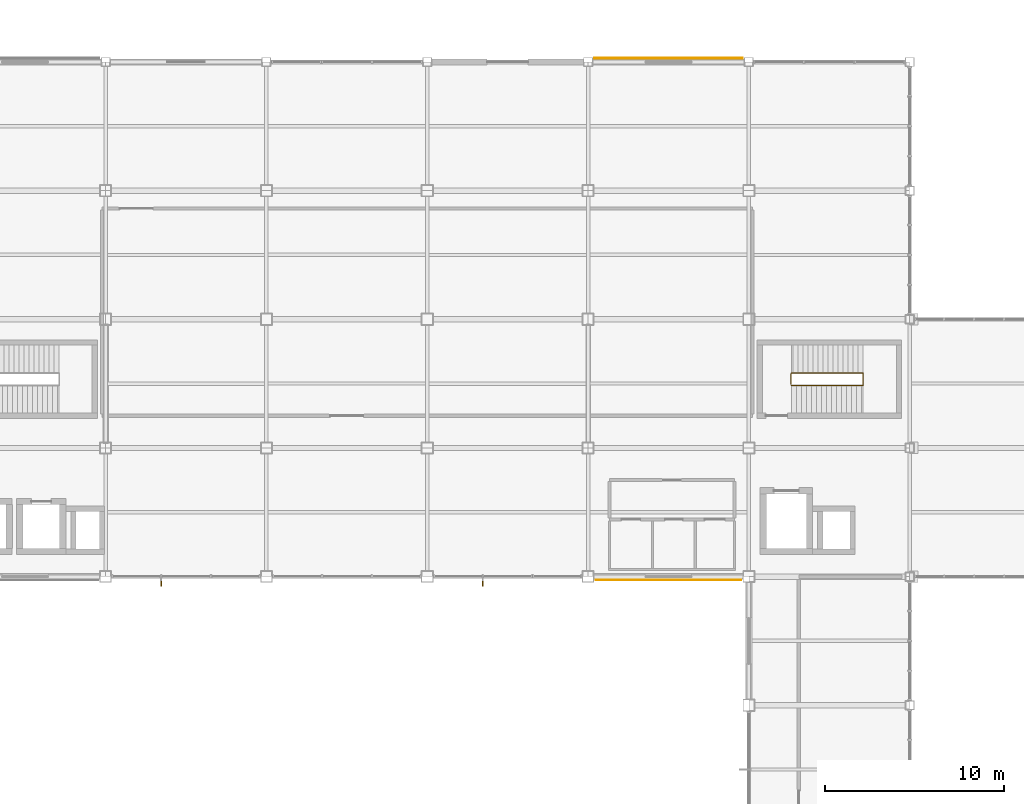
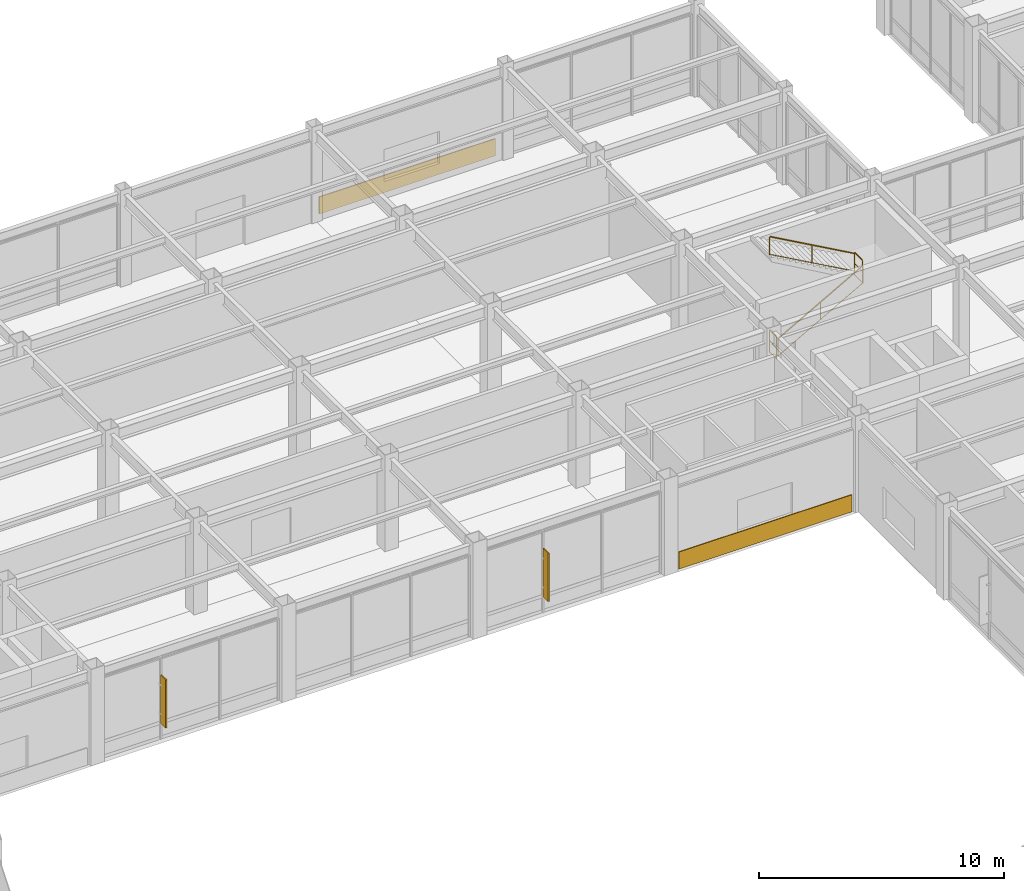
# One storey, part 109 of 112: 4 railings, 2 coverings, 2 shading devices.
"""IFC4 building model written with IfcOpenShell, lengths in metres."""

from ifc_helpers import new_model, si_unit, direction, frame, origin, origin_2d, place, context, subcontext, project, spatial, rectangle, extrude, material, layer, layer_set, type_object, element, save


model = new_model("IFC4")

# Units and contexts
model_context = context("Model", 3, precision=1e-05, world=origin(), true_north=direction((0.0, 1.0)))
body_context = subcontext(model_context, "Body", "Model", "MODEL_VIEW")
ifc_project = project(units=[si_unit("LENGTHUNIT", "METRE"), si_unit("AREAUNIT", "SQUARE_METRE"), si_unit("VOLUMEUNIT", "CUBIC_METRE"), si_unit("PLANEANGLEUNIT", "RADIAN"), si_unit("MASSUNIT", "GRAM", prefix="KILO")], contexts=[model_context])

# Site, building, storey
site_placement = place(None, origin())
site = spatial("IfcSite", under=ifc_project, at=site_placement, CompositionType="ELEMENT")
building_placement = place(site_placement, origin())
building = spatial("IfcBuilding", under=site, at=building_placement, Name="Kazanami Central Library", CompositionType="ELEMENT")
storey_placement = place(building_placement, origin())
storey = spatial("IfcBuildingStorey", under=building, at=storey_placement, Name="L01", CompositionType="ELEMENT", Elevation=0.0)

# Coverings
ifc_material_1 = material(Name="Honed Inada Granite", Category="masonry")
ifc_layer_1 = layer(ifc_material_1, 0.0400390625, Name="Honed Inada Granite")
ifc_layer_set_1 = layer_set([ifc_layer_1], Name="Honed Inada Granite")
covering_type_1 = type_object("IfcCoveringType", Name="COV-CLD-40", PredefinedType="CLADDING", material=ifc_layer_set_1)
covering_1_placement = place(storey_placement, frame((94.5, 64.60498046875, 0.02490234375), z_axis=(0.0, 0.0, 1.0), x_axis=(1.0, 0.0, 0.0)))
element("IfcCovering", 1, at=covering_1_placement, inside=storey, type_object=covering_type_1, Name="Honed Inada Granite Plinth CLD-40 S-K-10", PredefinedType="CLADDING", context=body_context, shape_type="SweptSolid", body=[
    extrude(rectangle(XDim=8.14990234375, YDim=0.0400390625, at=origin_2d()), origin(), (0.0, 0.0, 1.0), 0.85009765625),
])
ifc_layer_2 = layer(ifc_material_1, 0.050048828125, Name="Honed Inada Granite")
ifc_layer_set_2 = layer_set([ifc_layer_2], Name="Honed Inada Granite")
covering_type_2 = type_object("IfcCoveringType", Name="COV-CLD-50", PredefinedType="CLADDING", material=ifc_layer_set_2)
covering_2_placement = place(storey_placement, frame((94.5, 93.800048828125, 0.02490234375), z_axis=(0.0, 0.0, 1.0), x_axis=(-1.0, 0.0, 0.0)))
element("IfcCovering", 2, at=covering_2_placement, inside=storey, type_object=covering_type_2, Name="Honed Inada Granite Plinth CLD-50 N-O-10", PredefinedType="CLADDING", context=body_context, shape_type="SweptSolid", body=[
    extrude(rectangle(XDim=8.300048828125, YDim=0.050048828125, at=origin_2d()), origin(), (0.0, 0.0, 1.0), 0.85009765625),
])

# Railings
ifc_material_2 = material(Name="Stainless Steel SUS304", Category="steel")
railing_type_1 = type_object("IfcRailingType", Name="RAL-GR-S1", PredefinedType="GUARDRAIL", material=ifc_material_2)
railing_1_placement = place(storey_placement, frame((101.360107421875, 75.570068359375, 0.0)))
element("IfcRailing", 3, at=railing_1_placement, inside=storey, type_object=railing_type_1, Name="Stair Well Guard ST-04 L01", PredefinedType="GUARDRAIL", context=body_context, shape_type="SweptSolid", body=[
    extrude(rectangle(XDim=0.0439453125, YDim=0.0439453125, at=origin_2d()), frame((0.0, 0.02587890625, 1.1279296875), z_axis=(0.0, 1.0, 0.0), x_axis=(-1.0, 0.0, 0.0)), (0.0, 0.0, 1.0), 0.5078125),
    extrude(rectangle(XDim=0.02392578125, YDim=0.02392578125, at=origin_2d()), frame((0.0, 0.02587890625, 0.015869140625), z_axis=(0.0, 1.0, 0.0), x_axis=(-1.0, 0.0, 0.0)), (0.0, 0.0, 1.0), 0.5078125),
    extrude(rectangle(XDim=0.02392578125, YDim=0.02392578125, at=origin_2d()), frame((0.0, 0.02587890625, 0.574951171875), z_axis=(0.0, 1.0, 0.0), x_axis=(-1.0, 0.0, 0.0)), (0.0, 0.0, 1.0), 0.5078125),
    extrude(rectangle(XDim=0.035888671875, YDim=0.035888671875, at=origin_2d()), origin(), (0.0, 0.0, 1.0), 1.10205078125),
    extrude(rectangle(XDim=0.035888671875, YDim=0.035888671875, at=origin_2d()), frame((0.0, 0.559814453125, 0.0)), (0.0, 0.0, 1.0), 1.10205078125),
])
railing_2_placement = place(storey_placement, frame((105.387939453125, 75.52001953125, 2.39990234375)))
element("IfcRailing", 4, at=railing_2_placement, inside=storey, type_object=railing_type_1, Name="Half-Landing Well Guard ST-04 L01", PredefinedType="GUARDRAIL", context=body_context, shape_type="SweptSolid", body=[
    extrude(rectangle(XDim=0.0439453125, YDim=0.0439453125, at=origin_2d()), frame((0.0, 0.02587890625, 1.1279296875), z_axis=(0.0, 1.0, 0.0), x_axis=(-1.0, 0.0, 0.0)), (0.0, 0.0, 1.0), 0.60791015625),
    extrude(rectangle(XDim=0.02392578125, YDim=0.02392578125, at=origin_2d()), frame((0.0, 0.02587890625, 0.015869140625), z_axis=(0.0, 1.0, 0.0), x_axis=(-1.0, 0.0, 0.0)), (0.0, 0.0, 1.0), 0.60791015625),
    extrude(rectangle(XDim=0.02392578125, YDim=0.02392578125, at=origin_2d()), frame((0.0, 0.02587890625, 0.574951171875), z_axis=(0.0, 1.0, 0.0), x_axis=(-1.0, 0.0, 0.0)), (0.0, 0.0, 1.0), 0.60791015625),
    extrude(rectangle(XDim=0.035888671875, YDim=0.035888671875, at=origin_2d()), origin(), (0.0, 0.0, 1.0), 1.10205078125),
    extrude(rectangle(XDim=0.035888671875, YDim=0.035888671875, at=origin_2d()), frame((0.0, 0.659912109375, 0.0)), (0.0, 0.0, 1.0), 1.10205078125),
])
railing_type_2 = type_object("IfcRailingType", Name="RAL-HR-01", PredefinedType="HANDRAIL", material=ifc_material_2)
railing_3_placement = place(storey_placement, frame((101.39404296875, 75.5, 0.159912109375)))
element("IfcRailing", 5, at=railing_3_placement, inside=storey, type_object=railing_type_2, Name="Stair Handrail ST-04 Flight 1 (L01)", PredefinedType="HANDRAIL", context=body_context, shape_type="SweptSolid", body=[
    extrude(rectangle(XDim=0.0439453125, YDim=0.0439453125, at=origin_2d()), frame((0.022705078125, 0.0, 0.890625), z_axis=(0.872188536466, 0.0, 0.489169865033), x_axis=(0.0, 1.0, 0.0)), (0.0, 0.0, 1.0), 4.527099609375),
    extrude(rectangle(XDim=0.02392578125, YDim=0.02392578125, at=origin_2d()), frame((0.022705078125, 0.0, 0.028564453125), z_axis=(0.872188536466, 0.0, 0.489169865033), x_axis=(0.0, 1.0, 0.0)), (0.0, 0.0, 1.0), 4.527099609375),
    extrude(rectangle(XDim=0.035888671875, YDim=0.035888671875, at=origin_2d()), origin(), (0.0, 0.0, 1.0), 0.85205078125),
    extrude(rectangle(XDim=0.035888671875, YDim=0.035888671875, at=origin_2d()), frame((1.9970703125, 0.0, 1.1201171875)), (0.0, 0.0, 1.0), 0.85205078125),
    extrude(rectangle(XDim=0.035888671875, YDim=0.035888671875, at=origin_2d()), frame((3.993896484375, 0.0, 2.239990234375)), (0.0, 0.0, 1.0), 0.85205078125),
])
railing_type_3 = type_object("IfcRailingType", Name="RAL-HR-02", PredefinedType="HANDRAIL", material=ifc_material_2)
railing_4_placement = place(storey_placement, frame((105.39404296875, 76.199951171875, 2.56005859375)))
element("IfcRailing", 6, at=railing_4_placement, inside=storey, type_object=railing_type_3, Name="Stair Handrail ST-04 Flight 2 (L01)", PredefinedType="HANDRAIL", context=body_context, shape_type="SweptSolid", body=[
    extrude(rectangle(XDim=0.0439453125, YDim=0.0439453125, at=origin_2d()), frame((-0.022705078125, 0.0, 0.91064453125), z_axis=(-0.872201293295, 0.0, 0.489147118947), x_axis=(0.0, -1.0, 0.0)), (0.0, 0.0, 1.0), 4.52734375),
    extrude(rectangle(XDim=0.02392578125, YDim=0.02392578125, at=origin_2d()), frame((-0.022705078125, 0.0, 0.028564453125), z_axis=(-0.872201293295, 0.0, 0.489147118947), x_axis=(0.0, -1.0, 0.0)), (0.0, 0.0, 1.0), 4.52734375),
    extrude(rectangle(XDim=0.035888671875, YDim=0.035888671875, at=origin_2d()), origin(), (0.0, 0.0, 1.0), 0.8720703125),
    extrude(rectangle(XDim=0.035888671875, YDim=0.035888671875, at=origin_2d()), frame((-1.9970703125, 0.0, 1.1201171875)), (0.0, 0.0, 1.0), 0.8720703125),
    extrude(rectangle(XDim=0.035888671875, YDim=0.035888671875, at=origin_2d()), frame((-3.994140625, 0.0, 2.239990234375)), (0.0, 0.0, 1.0), 0.8720703125),
])

# Shading devices
ifc_material_3 = material(Name="Anodised Bronze-Grey Aluminium A6063-T5", Category="aluminium")
shading_device_type = type_object("IfcShadingDeviceType", Name="SHD-FIN-2", PredefinedType="USERDEFINED", material=ifc_material_3)
for number, where, z_axis, x_axis, name in (
    (7, (66.1083984375, 64.469970703125, 0.82763671875), (0.0, 0.0, 1.0), (1.0, 0.0, 0.0), "Vertical Solar Fin SF-02 L01 S-K-07.1"),
    (8, (84.1083984375, 64.469970703125, 0.82763671875), (0.0, 0.0, 1.0), (1.0, 0.0, 0.0), "Vertical Solar Fin SF-02 L01 S-K-09.1"),
):
    element("IfcShadingDevice", number, at=place(storey_placement, frame(where, z_axis=z_axis, x_axis=x_axis)), inside=storey, type_object=shading_device_type, Name=name, ObjectType="SOLAR FIN", PredefinedType="USERDEFINED", context=body_context, shape_type="SweptSolid", body=[
        extrude(rectangle(XDim=0.06494140625, YDim=0.419921875, at=origin_2d()), origin(), (0.0, 0.0, 1.0), 2.39990234375),
    ])

save(model, "model.ifc")
